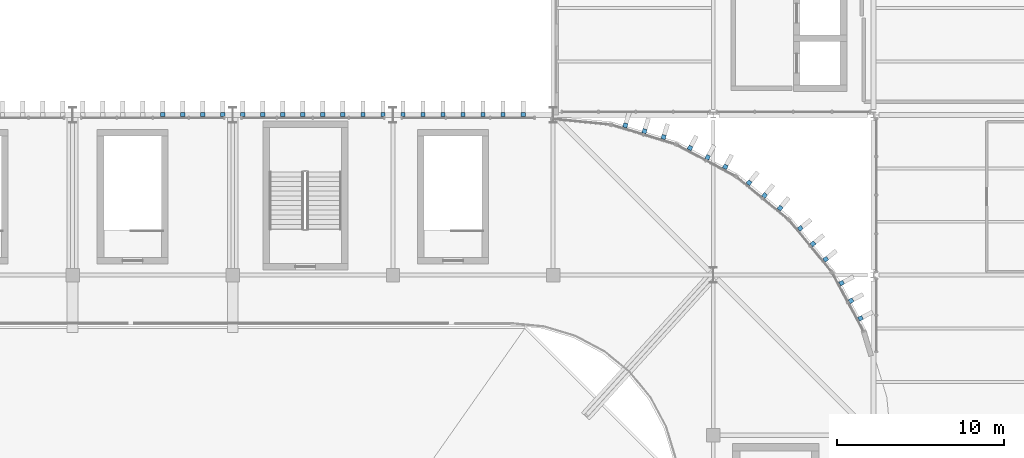
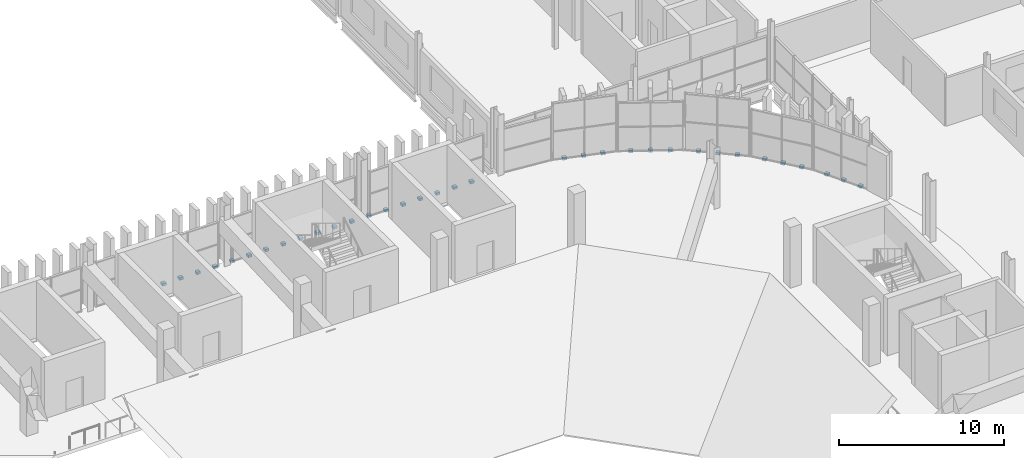
# One storey, part 53 of 69: 34 discrete accessories.
"""IFC4 building model written with IfcOpenShell, lengths in metres."""

import ifcopenshell
import ifcopenshell.guid

model = None  # the IFC model being written
_history = None  # IfcOwnerHistory: only IFC2X3 demands one
_inside = {}  # id of a spatial element -> (the spatial element, [elements in it])
_under = {}  # id of a project, library or spatial element -> (it, [spatial elements below it])
_declared = {}  # id of a project -> (the project, [libraries it declares])
_typed = {}  # id of a type object -> (the type object, [elements of that type])
_made_of = {}  # id of a material, layer set ... -> (it, [elements and type objects made of it])


def new_model(schema):
    """Start an empty IFC model of exactly this schema.

    Asked for "IFC4X3", IfcOpenShell would pick the latest addendum, in which some entities
    have other attributes; the version numbers below select the first issue.
    IFC2X3 requires an IfcOwnerHistory on every rooted entity: one is made here for all.
    """
    global model, _history
    if schema == "IFC4X3":
        model = ifcopenshell.file(schema_version=(4, 3, 0, 0))
    else:
        model = ifcopenshell.file(schema=schema)
    _inside.clear()
    _under.clear()
    _declared.clear()
    _typed.clear()
    _made_of.clear()
    _history = None
    if model.schema == "IFC2X3":
        org = make("IfcOrganization", Name="unknown")
        user = make(
            "IfcPersonAndOrganization",
            ThePerson=make("IfcPerson", FamilyName="unknown"),
            TheOrganization=org,
        )
        app = make(
            "IfcApplication",
            ApplicationDeveloper=org,
            Version="unknown",
            ApplicationFullName="unknown",
            ApplicationIdentifier="unknown",
        )
        _history = make(
            "IfcOwnerHistory",
            OwningUser=user,
            OwningApplication=app,
            ChangeAction="ADDED",
            CreationDate=0,
        )
    return model


def make(cls, **values):
    """One entity of the class cls with the attributes given. An attribute that is None is left unset."""
    return model.create_entity(
        cls, **{name: value for name, value in values.items() if value is not None}
    )


def rooted(cls, **values):
    """An entity with a GlobalId (a new one), such as an element, a storey or a relation."""
    return make(cls, GlobalId=ifcopenshell.guid.new(), OwnerHistory=_history, **values)


def si_unit(unit_type, name, prefix=None):
    """IfcSIUnit, for example si_unit("LENGTHUNIT", "METRE", prefix="MILLI")."""
    return make("IfcSIUnit", UnitType=unit_type, Prefix=prefix, Name=name)


def assignment(units):
    """IfcUnitAssignment: the units of a project."""
    return None if units is None else make("IfcUnitAssignment", Units=units)


def point(xyz):
    """IfcCartesianPoint."""
    return None if xyz is None else make("IfcCartesianPoint", Coordinates=xyz)


def direction(xyz):
    """IfcDirection."""
    return None if xyz is None else make("IfcDirection", DirectionRatios=xyz)


def frame(location, z_axis=None, x_axis=None):
    """IfcAxis2Placement3D, a coordinate frame: its origin and axes. An axis left out is left unset."""
    return make(
        "IfcAxis2Placement3D",
        Location=point(location),
        Axis=direction(z_axis),
        RefDirection=direction(x_axis),
    )


def frame_2d(location, x_axis=None):
    """IfcAxis2Placement2D, a coordinate frame in the plane: its origin and x axis."""
    return make(
        "IfcAxis2Placement2D", Location=point(location), RefDirection=direction(x_axis)
    )


def origin():
    """The frame at (0, 0, 0) with its axes left unset."""
    return frame((0.0, 0.0, 0.0))


def origin_2d():
    """The frame at (0, 0) in the plane with its x axis left unset."""
    return frame_2d((0.0, 0.0))


def place(relative_to, where):
    """IfcLocalPlacement: puts the frame where relative to a parent placement (None: the world)."""
    return make(
        "IfcLocalPlacement", PlacementRelTo=relative_to, RelativePlacement=where
    )


def context(
    kind, dimensions, precision=None, world=None, true_north=None, identifier=None
):
    """IfcGeometricRepresentationContext, for example the 3D "Model" context."""
    return make(
        "IfcGeometricRepresentationContext",
        ContextIdentifier=identifier,
        ContextType=kind,
        CoordinateSpaceDimension=dimensions,
        Precision=precision,
        WorldCoordinateSystem=world,
        TrueNorth=true_north,
    )


def subcontext(parent, identifier, kind, view, scale=None):
    """IfcGeometricRepresentationSubContext, for example "Body" below "Model"."""
    return make(
        "IfcGeometricRepresentationSubContext",
        ContextIdentifier=identifier,
        ContextType=kind,
        ParentContext=parent,
        TargetScale=scale,
        TargetView=view,
    )


def project(units=None, contexts=None):
    """IfcProject with its units and contexts."""
    return rooted(
        "IfcProject",
        Name="project",
        RepresentationContexts=contexts,
        UnitsInContext=assignment(units),
    )


def spatial(cls, under=None, at=None, **own):
    """A site, building, storey or space (cls), placed at a placement, below another one or the project."""
    s = rooted(cls, ObjectPlacement=at, **own)
    if under is not None:
        _under.setdefault(under.id(), (under, []))[1].append(s)
    return s


def profile(cls, at=None, kind="AREA", **sizes):
    """A parametric profile (cls). Its sizes go by their IFC names, for example OverallWidth=200.0."""
    return make(cls, ProfileType=kind, Position=at, **sizes)


def rectangle(**sizes):
    """IfcRectangleProfileDef."""
    return profile("IfcRectangleProfileDef", **sizes)


def extrude(swept, where, along, depth):
    """IfcExtrudedAreaSolid: the profile swept, set in the frame where, extruded along a direction by depth."""
    return make(
        "IfcExtrudedAreaSolid",
        SweptArea=swept,
        Position=where,
        ExtrudedDirection=direction(along),
        Depth=depth,
    )


def shape(context_of_items, identifier, shape_type, items):
    """IfcShapeRepresentation: the items that make up one representation, for example the "Body"."""
    return make(
        "IfcShapeRepresentation",
        ContextOfItems=context_of_items,
        RepresentationIdentifier=identifier,
        RepresentationType=shape_type,
        Items=items,
    )


def material(Name=None, Category=None):
    """IfcMaterial."""
    return make("IfcMaterial", Name=Name, Category=Category)


def made_of(thing, what):
    """Note that an element or type object is made of a material, layer set ...; save() writes the relation."""
    if what is not None:
        _made_of.setdefault(what.id(), (what, []))[1].append(thing)
    return thing


def type_object(cls, material=None, **own):
    """A type object (cls), such as IfcWallType, which elements share."""
    return made_of(rooted(cls, **own), material)


def element(
    cls,
    number,
    at=None,
    inside=None,
    cuts=None,
    type_object=None,
    material=None,
    context=None,
    identifier="Body",
    shape_type=None,
    held_by="IfcProductDefinitionShape",
    body=None,
    shapes=None,
    **own,
):
    """One element of the class cls, such as IfcWall. Its Tag is "e" and its number.

    at: its placement. inside: the storey or other place that contains it. cuts: it is an
    opening in that element (IfcRelVoidsElement). A single representation is given by context,
    identifier, shape_type and body (its items); several are given by shapes. held_by: the class
    of the entity that holds the representations. save() writes the other relations.
    """
    e = rooted(cls, Tag="e%d" % number, ObjectPlacement=at, **own)
    if body is not None:
        shapes = [shape(context, identifier, shape_type, body)]
    if shapes is not None:
        e.Representation = make(held_by, Representations=shapes)
    if inside is not None:
        _inside.setdefault(inside.id(), (inside, []))[1].append(e)
    if cuts is not None:
        rooted(
            "IfcRelVoidsElement", RelatingBuildingElement=cuts, RelatedOpeningElement=e
        )
    if type_object is not None:
        _typed.setdefault(type_object.id(), (type_object, []))[1].append(e)
    return made_of(e, material)


def aggregate(whole, parts):
    """IfcRelAggregates: a whole, such as a stair, and the parts it consists of."""
    return rooted("IfcRelAggregates", RelatingObject=whole, RelatedObjects=parts)


def save(model, path):
    """Write the relations noted so far, then the file.

    IfcRelAggregates (storeys below a building ...), IfcRelContainedInSpatialStructure (elements
    in a storey), IfcRelDefinesByType, IfcRelAssociatesMaterial and IfcRelDeclares: one each for
    every whole, place, type object, material and project.
    """
    for whole, parts in _under.values():
        aggregate(whole, parts)
    for where, things in _inside.values():
        rooted(
            "IfcRelContainedInSpatialStructure",
            RelatedElements=things,
            RelatingStructure=where,
        )
    for kind, things in _typed.values():
        rooted("IfcRelDefinesByType", RelatedObjects=things, RelatingType=kind)
    for what, things in _made_of.values():
        rooted("IfcRelAssociatesMaterial", RelatedObjects=things, RelatingMaterial=what)
    for by, libraries in _declared.values():
        rooted("IfcRelDeclares", RelatingContext=by, RelatedDefinitions=libraries)
    model.write(path)


model = new_model("IFC4")

# Units and contexts
model_context = context("Model", 3, precision=1e-05, world=origin(), true_north=direction((0.0, 1.0)))
body_context = subcontext(model_context, "Body", "Model", "MODEL_VIEW")
ifc_project = project(units=[si_unit("LENGTHUNIT", "METRE"), si_unit("AREAUNIT", "SQUARE_METRE"), si_unit("VOLUMEUNIT", "CUBIC_METRE"), si_unit("PLANEANGLEUNIT", "RADIAN"), si_unit("MASSUNIT", "GRAM", prefix="KILO")], contexts=[model_context])

# Site, building, storey
site_placement = place(None, origin())
site = spatial("IfcSite", under=ifc_project, at=site_placement, CompositionType="ELEMENT")
building_placement = place(site_placement, origin())
building = spatial("IfcBuilding", under=site, at=building_placement, Name="Caelomonte Colonnade Arena", CompositionType="ELEMENT")
storey_placement = place(building_placement, frame((0.0, 0.0, 18.60009765625)))
storey = spatial("IfcBuildingStorey", under=building, at=storey_placement, Name="L04", CompositionType="ELEMENT", Elevation=18.60009765625)

# Discrete accessories
ifc_material = material(Name="Steel ASTM A572 Grade 50", Category="steel")
discrete_accessory_type = type_object("IfcDiscreteAccessoryType", Name="ENV-ACC-BRK", PredefinedType="BRACKET", material=ifc_material)
for number, where, z_axis, x_axis, name in (
    (1, (162.42333984375, 103.007568359375, -0.2099609375), (0.0, 0.0, 1.0), (-0.471396736826, 0.881921264348, 0.0), "V1 L04 fin support bracket 75"),
    (2, (161.857666015625, 104.06591796875, -0.2099609375), (0.0, 0.0, 1.0), (-0.471396736826, 0.881921264348, 0.0), "V1 L04 fin support bracket 76"),
    (3, (161.2919921875, 105.1240234375, -0.2099609375), (0.0, 0.0, 1.0), (-0.471396736826, 0.881921264348, 0.0), "V1 L04 fin support bracket 77"),
    (4, (160.339599609375, 106.549560546875, -0.2099609375), (0.0, 0.0, 1.0), (-0.634413521313, 0.77299384472, 0.0), "V1 L04 fin support bracket 78"),
    (5, (159.578125, 107.47705078125, -0.2099609375), (0.0, 0.0, 1.0), (-0.634413521313, 0.77299384472, 0.0), "V1 L04 fin support bracket 79"),
    (6, (158.81689453125, 108.40478515625, -0.2099609375), (0.0, 0.0, 1.0), (-0.634413521313, 0.77299384472, 0.0), "V1 L04 fin support bracket 80"),
    (7, (157.604736328125, 109.616943359375, -0.2099609375), (0.0, 0.0, 1.0), (-0.77299384472, 0.634413521313, 0.0), "V1 L04 fin support bracket 81"),
    (8, (156.677001953125, 110.378173828125, -0.2099609375), (0.0, 0.0, 1.0), (-0.77299384472, 0.634413521313, 0.0), "V1 L04 fin support bracket 82"),
    (9, (155.74951171875, 111.139404296875, -0.2099609375), (0.0, 0.0, 1.0), (-0.77299384472, 0.634413521313, 0.0), "V1 L04 fin support bracket 83"),
    (10, (154.32421875, 112.092041015625, -0.2099609375), (0.0, 0.0, 1.0), (-0.881921264348, 0.471396736826, 0.0), "V1 L04 fin support bracket 84"),
    (11, (153.265869140625, 112.65771484375, -0.2099609375), (0.0, 0.0, 1.0), (-0.881921264348, 0.471396736826, 0.0), "V1 L04 fin support bracket 85"),
    (12, (152.20751953125, 113.223388671875, -0.2099609375), (0.0, 0.0, 1.0), (-0.881921264348, 0.471396736826, 0.0), "V1 L04 fin support bracket 86"),
    (13, (150.623779296875, 113.87939453125, -0.2099609375), (0.0, 0.0, 1.0), (-0.956942868907, 0.290276326364, 0.0), "V1 L04 fin support bracket 87"),
    (14, (149.475341796875, 114.227783203125, -0.2099609375), (0.0, 0.0, 1.0), (-0.956942868907, 0.290276326364, 0.0), "V1 L04 fin support bracket 88"),
    (15, (148.326904296875, 114.575927734375, -0.2099609375), (0.0, 0.0, 1.0), (-0.956942868907, 0.290276326364, 0.0), "V1 L04 fin support bracket 89"),
    (16, (142.199951171875, 115.22998046875, -0.2099609375), (0.0, 0.0, 1.0), (-1.0, 0.0, 0.0), "V1 L04 fin support bracket 93"),
    (17, (141.0, 115.22998046875, -0.2099609375), (0.0, 0.0, 1.0), (-1.0, 0.0, 0.0), "V1 L04 fin support bracket 94"),
    (18, (139.800048828125, 115.22998046875, -0.2099609375), (0.0, 0.0, 1.0), (-1.0, 0.0, 0.0), "V1 L04 fin support bracket 95"),
    (19, (138.60009765625, 115.22998046875, -0.2099609375), (0.0, 0.0, 1.0), (-1.0, 0.0, 0.0), "V1 L04 fin support bracket 96"),
    (20, (137.39990234375, 115.22998046875, -0.2099609375), (0.0, 0.0, 1.0), (-1.0, 0.0, 0.0), "V1 L04 fin support bracket 97"),
    (21, (136.199951171875, 115.22998046875, -0.2099609375), (0.0, 0.0, 1.0), (-1.0, 0.0, 0.0), "V1 L04 fin support bracket 98"),
    (22, (135.0, 115.22998046875, -0.2099609375), (0.0, 0.0, 1.0), (-1.0, 0.0, 0.0), "V1 L04 fin support bracket 99"),
    (23, (133.800048828125, 115.22998046875, -0.2099609375), (0.0, 0.0, 1.0), (-1.0, 0.0, 0.0), "V1 L04 fin support bracket 100"),
    (24, (132.60009765625, 115.22998046875, -0.2099609375), (0.0, 0.0, 1.0), (-1.0, 0.0, 0.0), "V1 L04 fin support bracket 101"),
    (25, (131.39990234375, 115.22998046875, -0.2099609375), (0.0, 0.0, 1.0), (-1.0, 0.0, 0.0), "V1 L04 fin support bracket 102"),
    (26, (130.199951171875, 115.22998046875, -0.2099609375), (0.0, 0.0, 1.0), (-1.0, 0.0, 0.0), "V1 L04 fin support bracket 103"),
    (27, (129.0, 115.22998046875, -0.2099609375), (0.0, 0.0, 1.0), (-1.0, 0.0, 0.0), "V1 L04 fin support bracket 104"),
    (28, (127.800048828125, 115.22998046875, -0.2099609375), (0.0, 0.0, 1.0), (-1.0, 0.0, 0.0), "V1 L04 fin support bracket 105"),
    (29, (126.60009765625, 115.22998046875, -0.2099609375), (0.0, 0.0, 1.0), (-1.0, 0.0, 0.0), "V1 L04 fin support bracket 106"),
    (30, (125.39990234375, 115.22998046875, -0.2099609375), (0.0, 0.0, 1.0), (-1.0, 0.0, 0.0), "V1 L04 fin support bracket 107"),
    (31, (124.199951171875, 115.22998046875, -0.2099609375), (0.0, 0.0, 1.0), (-1.0, 0.0, 0.0), "V1 L04 fin support bracket 108"),
    (32, (123.0, 115.22998046875, -0.2099609375), (0.0, 0.0, 1.0), (-1.0, 0.0, 0.0), "V1 L04 fin support bracket 109"),
    (33, (121.800048828125, 115.22998046875, -0.2099609375), (0.0, 0.0, 1.0), (-1.0, 0.0, 0.0), "V1 L04 fin support bracket 110"),
    (34, (120.60009765625, 115.22998046875, -0.2099609375), (0.0, 0.0, 1.0), (-1.0, 0.0, 0.0), "V1 L04 fin support bracket 111"),
):
    element("IfcDiscreteAccessory", number, at=place(storey_placement, frame(where, z_axis=z_axis, x_axis=x_axis)), inside=storey, type_object=discrete_accessory_type, Name=name, PredefinedType="BRACKET", context=body_context, shape_type="SweptSolid", body=[
        extrude(rectangle(XDim=0.260009765625, YDim=0.260009765625, at=origin_2d()), origin(), (0.0, 0.0, 1.0), 0.179931640625),
    ])

save(model, "model.ifc")
